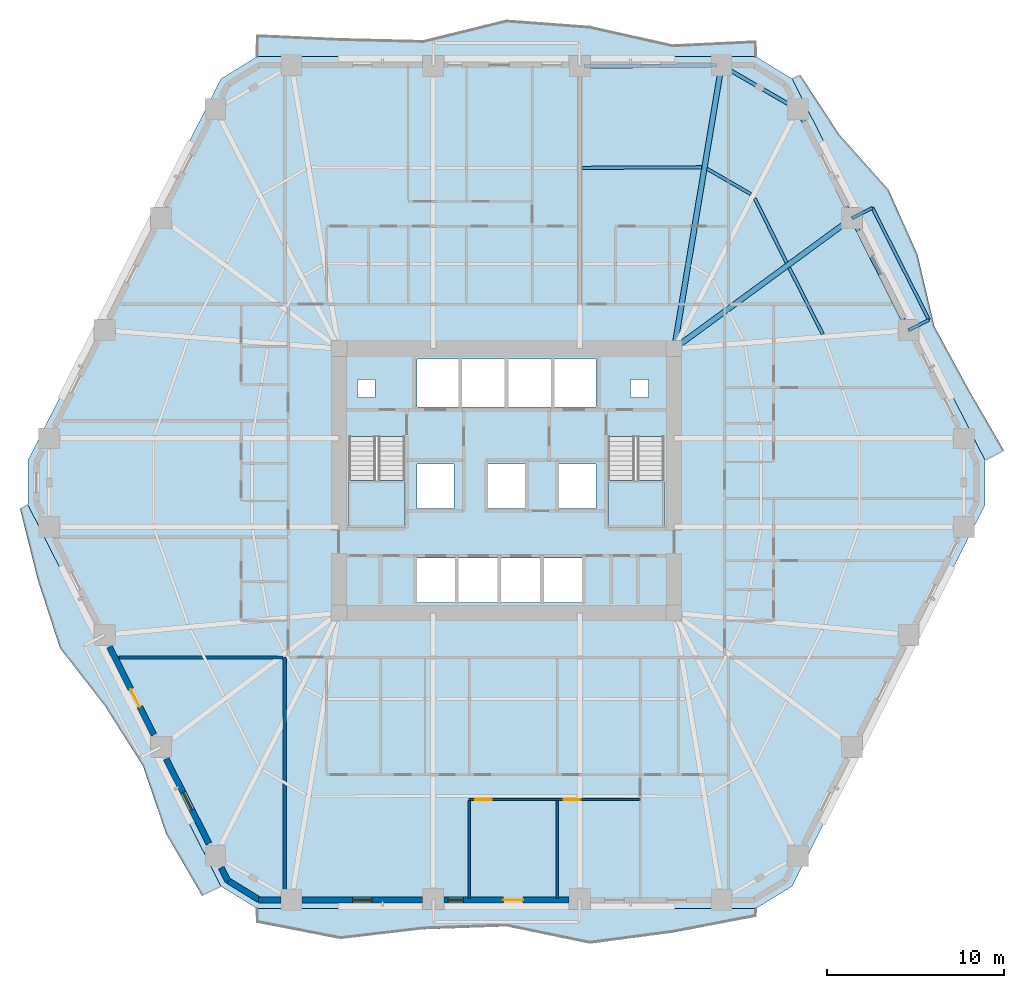
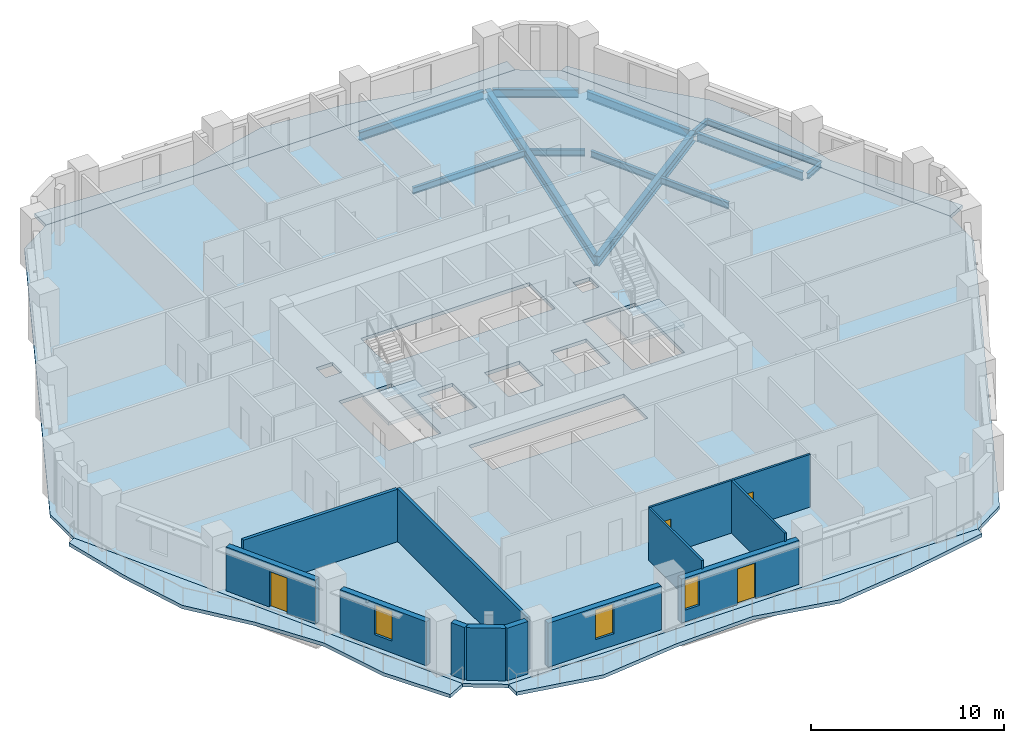
# One storey, part 3 of 14: 13 beams, 12 walls, 7 slabs, 4 doors, 3 windows, 7 openings, 2 elements without a shape of their own.
"""IFC4 building model written with IfcOpenShell, lengths in metres."""

from ifc_helpers import new_model, si_unit, direction, frame, frame_2d, origin, origin_2d, place, context, subcontext, project, spatial, polyline, rectangle, i_section, outline, extrude, material, layer, layer_set, material_profile, profile_set, type_object, element, fill, aggregate, save


model = new_model("IFC4")

# Units and contexts
model_context = context("Model", 3, precision=1e-05, world=origin(), true_north=direction((0.0, 1.0)))
body_context = subcontext(model_context, "Body", "Model", "MODEL_VIEW")
ifc_project = project(units=[si_unit("LENGTHUNIT", "METRE"), si_unit("AREAUNIT", "SQUARE_METRE"), si_unit("VOLUMEUNIT", "CUBIC_METRE"), si_unit("PLANEANGLEUNIT", "RADIAN"), si_unit("MASSUNIT", "GRAM", prefix="KILO")], contexts=[model_context])

# Site, building, storey
site_placement = place(None, origin())
site = spatial("IfcSite", under=ifc_project, at=site_placement, CompositionType="ELEMENT")
building_placement = place(site_placement, origin())
building = spatial("IfcBuilding", under=site, at=building_placement, Name="Cinnabar Lancet Tower", CompositionType="ELEMENT")
storey_placement = place(building_placement, frame((0.0, 0.0, 67.5)))
storey = spatial("IfcBuildingStorey", under=building, at=storey_placement, Name="L17", CompositionType="ELEMENT", Elevation=67.5)

# Beams
ifc_material_1 = material(Name="Structural steel S355", Category="steel")
ifc_material_profile_1 = material_profile(ifc_material_1, i_section(OverallWidth=0.177978515625, OverallDepth=0.406494140625, WebThickness=0.0078125, FlangeThickness=0.0126953125, FilletRadius=0.01025390625, at=origin_2d()), Name="UKB 406x178x60")
ifc_profile_set_1 = profile_set([ifc_material_profile_1], Name="Structural steel S355")
beam_type_1 = type_object("IfcBeamType", Name="STR-BM-JST-406", PredefinedType="JOIST", material=ifc_profile_set_1)
beam_1_placement = place(storey_placement, frame((50.220947265625, 34.156982421875, -0.423095703125), z_axis=(-0.450834254961, 0.89260768233, 0.0), x_axis=(-0.89260768233, -0.450834254961, 0.0)))
element("IfcBeam", 1, at=beam_1_placement, inside=storey, type_object=beam_type_1, Name="L17 Secondary Floor Joist 27", PredefinedType="JOIST", context=body_context, shape_type="SweptSolid", body=[
    extrude(i_section(OverallWidth=0.177978515625, OverallDepth=0.406494140625, WebThickness=0.0078125, FlangeThickness=0.0126953125, FilletRadius=0.01025390625, at=origin_2d()), origin(), (0.0, 0.0, 1.0), 4.203369140625),
])
beam_2_placement = place(storey_placement, frame((48.18603515625, 38.18798828125, -0.423095703125), z_axis=(-0.445738672706, 0.895163133543, 0.0), x_axis=(-0.895163133543, -0.445738672706, 0.0)))
element("IfcBeam", 2, at=beam_2_placement, inside=storey, type_object=beam_type_1, Name="L17 Secondary Floor Joist 29", PredefinedType="JOIST", context=body_context, shape_type="SweptSolid", body=[
    extrude(i_section(OverallWidth=0.177978515625, OverallDepth=0.406494140625, WebThickness=0.0078125, FlangeThickness=0.0126953125, FilletRadius=0.01025390625, at=origin_2d()), origin(), (0.0, 0.0, 1.0), 4.04052734375),
])
beam_3_placement = place(storey_placement, frame((46.1669921875, 42.052001953125, -0.423095703125), z_axis=(-0.865113631149, 0.50157592167, 0.0), x_axis=(-0.50157592167, -0.865113631149, 0.0)))
element("IfcBeam", 3, at=beam_3_placement, inside=storey, type_object=beam_type_1, Name="L17 Secondary Floor Joist 31", PredefinedType="JOIST", context=body_context, shape_type="SweptSolid", body=[
    extrude(i_section(OverallWidth=0.177978515625, OverallDepth=0.406494140625, WebThickness=0.0078125, FlangeThickness=0.0126953125, FilletRadius=0.01025390625, at=origin_2d()), origin(), (0.0, 0.0, 1.0), 2.852783203125),
])
beam_4_placement = place(storey_placement, frame((43.40087890625, 43.56396484375, -0.423095703125), z_axis=(-0.999988691118, -0.004755800274, 0.0), x_axis=(0.004755800274, -0.999988691118, 0.0)))
element("IfcBeam", 4, at=beam_4_placement, inside=storey, type_object=beam_type_1, Name="L17 Secondary Floor Joist 33", PredefinedType="JOIST", context=body_context, shape_type="SweptSolid", body=[
    extrude(i_section(OverallWidth=0.177978515625, OverallDepth=0.406494140625, WebThickness=0.0078125, FlangeThickness=0.0126953125, FilletRadius=0.01025390625, at=origin_2d()), origin(), (0.0, 0.0, 1.0), 6.724853515625),
])
ifc_material_2 = material(Name="Structural steel S355", Category="steel")
ifc_material_profile_2 = material_profile(ifc_material_2, i_section(OverallWidth=0.209228515625, OverallDepth=0.533203125, WebThickness=0.010009765625, FlangeThickness=0.015625, FilletRadius=0.0126953125, at=origin_2d()), Name="UKB 533x210x92")
ifc_profile_set_2 = profile_set([ifc_material_profile_2], Name="Structural steel S355")
beam_type_2 = type_object("IfcBeamType", Name="STR-BM-SPN-533", PredefinedType="SPANDREL", material=ifc_profile_set_2)
beam_5_placement = place(storey_placement, frame((54.93310546875, 34.60302734375, -0.487060546875), z_axis=(-0.450703143926, 0.892673891214, 0.0), x_axis=(-0.892673891214, -0.450703143926, 0.0)))
element("IfcBeam", 5, at=beam_5_placement, inside=storey, type_object=beam_type_2, Name="L17 Perimeter Spandrel 10", PredefinedType="SPANDREL", context=body_context, shape_type="SweptSolid", body=[
    extrude(i_section(OverallWidth=0.209228515625, OverallDepth=0.533203125, WebThickness=0.010009765625, FlangeThickness=0.015625, FilletRadius=0.0126953125, at=origin_2d()), origin(), (0.0, 0.0, 1.0), 6.570068359375),
])
beam_6_placement = place(storey_placement, frame((51.748046875, 40.9150390625, -0.487060546875), z_axis=(-0.445953050023, 0.89505635419, 0.0), x_axis=(-0.89505635419, -0.445953050023, 0.0)))
element("IfcBeam", 6, at=beam_6_placement, inside=storey, type_object=beam_type_2, Name="L17 Perimeter Spandrel 11", PredefinedType="SPANDREL", context=body_context, shape_type="SweptSolid", body=[
    extrude(i_section(OverallWidth=0.209228515625, OverallDepth=0.533203125, WebThickness=0.010009765625, FlangeThickness=0.015625, FilletRadius=0.0126953125, at=origin_2d()), origin(), (0.0, 0.0, 1.0), 6.35498046875),
])
beam_7_placement = place(storey_placement, frame((48.5869140625, 46.951904296875, -0.487060546875), z_axis=(-0.865147238596, 0.501517951374, 0.0), x_axis=(-0.501517951374, -0.865147238596, 0.0)))
element("IfcBeam", 7, at=beam_7_placement, inside=storey, type_object=beam_type_2, Name="L17 Perimeter Spandrel 12", PredefinedType="SPANDREL", context=body_context, shape_type="SweptSolid", body=[
    extrude(i_section(OverallWidth=0.209228515625, OverallDepth=0.533203125, WebThickness=0.010009765625, FlangeThickness=0.015625, FilletRadius=0.0126953125, at=origin_2d()), origin(), (0.0, 0.0, 1.0), 4.454833984375),
])
beam_8_placement = place(storey_placement, frame((44.26708984375, 49.30908203125, -0.487060546875), z_axis=(-0.99997856757, -0.006547090947, 0.0), x_axis=(0.006547090947, -0.99997856757, 0.0)))
element("IfcBeam", 8, at=beam_8_placement, inside=storey, type_object=beam_type_2, Name="L17 Perimeter Spandrel 13", PredefinedType="SPANDREL", context=body_context, shape_type="SweptSolid", body=[
    extrude(i_section(OverallWidth=0.209228515625, OverallDepth=0.533203125, WebThickness=0.010009765625, FlangeThickness=0.015625, FilletRadius=0.0126953125, at=origin_2d()), origin(), (0.0, 0.0, 1.0), 7.495361328125),
])
ifc_material_3 = material(Name="Structural steel S355", Category="steel")
ifc_material_profile_3 = material_profile(ifc_material_3, i_section(OverallWidth=0.30712890625, OverallDepth=0.6201171875, WebThickness=0.01416015625, FlangeThickness=0.023681640625, FilletRadius=0.0166015625, at=origin_2d()), Name="UKB 610x305x179")
ifc_profile_set_3 = profile_set([ifc_material_profile_3], Name="Structural steel S355")
beam_type_3 = type_object("IfcBeamType", Name="STR-BM-UKB610-179", PredefinedType="BEAM", material=ifc_profile_set_3)
beam_9_placement = place(storey_placement, frame((51.85888671875, 40.69091796875, -0.530029296875), z_axis=(-0.80636497312, -0.591418236213, 0.0), x_axis=(0.591418236213, -0.80636497312, 0.0)))
element("IfcBeam", 9, at=beam_9_placement, inside=storey, type_object=beam_type_3, Name="L17 Corner Collector Girder 3", PredefinedType="BEAM", context=body_context, shape_type="SweptSolid", body=[
    extrude(i_section(OverallWidth=0.30712890625, OverallDepth=0.6201171875, WebThickness=0.01416015625, FlangeThickness=0.023681640625, FilletRadius=0.0166015625, at=origin_2d()), origin(), (0.0, 0.0, 1.0), 12.412353515625),
])
beam_10_placement = place(storey_placement, frame((44.51708984375, 49.31103515625, -0.530029296875), z_axis=(-0.164809990854, -0.986325335229, 0.0), x_axis=(0.986325335229, -0.164809990854, 0.0)))
element("IfcBeam", 10, at=beam_10_placement, inside=storey, type_object=beam_type_3, Name="L17 Primary Floor Girder 13", PredefinedType="BEAM", context=body_context, shape_type="SweptSolid", body=[
    extrude(i_section(OverallWidth=0.30712890625, OverallDepth=0.6201171875, WebThickness=0.01416015625, FlangeThickness=0.023681640625, FilletRadius=0.0166015625, at=origin_2d()), origin(), (0.0, 0.0, 1.0), 16.18212890625),
])
ifc_material_4 = material(Name="Structural steel S355", Category="steel")
ifc_material_profile_4 = material_profile(ifc_material_4, i_section(OverallWidth=0.17138671875, OverallDepth=0.35498046875, WebThickness=0.00732421875, FlangeThickness=0.011474609375, FilletRadius=0.01025390625, at=origin_2d()), Name="UKB 356x171x51")
ifc_profile_set_4 = profile_set([ifc_material_profile_4], Name="Structural steel S355")
beam_type_4 = type_object("IfcBeamType", Name="STR-BM-WAV-OUT", PredefinedType="BEAM", material=ifc_profile_set_4)
for number, where, z_axis, x_axis, name in (
    (11, (55.0458984375, 34.3798828125, -0.39697265625), (0.892238560088, 0.451564338597, 0.0), (-0.451564338597, 0.892238560088, 0.0), "L17 Face 3 Balcony Outlooker A"),
    (12, (51.85888671875, 40.69091796875, -0.39697265625), (0.892238560088, 0.451564338597, 0.0), (-0.451564338597, 0.892238560088, 0.0), "L17 Face 3 Balcony Outlooker B"),
):
    element("IfcBeam", number, at=place(storey_placement, frame(where, z_axis=z_axis, x_axis=x_axis)), inside=storey, type_object=beam_type_4, Name=name, PredefinedType="BEAM", context=body_context, shape_type="SweptSolid", body=[
        extrude(i_section(OverallWidth=0.17138671875, OverallDepth=0.35498046875, WebThickness=0.00732421875, FlangeThickness=0.011474609375, FilletRadius=0.01025390625, at=origin_2d()), origin(), (0.0, 0.0, 1.0), 1.30029296875),
    ])
ifc_material_5 = material(Name="Structural steel S355", Category="steel")
ifc_material_profile_5 = material_profile(ifc_material_5, i_section(OverallWidth=0.17138671875, OverallDepth=0.35498046875, WebThickness=0.00732421875, FlangeThickness=0.011474609375, FilletRadius=0.01025390625, at=origin_2d()), Name="UKB 356x171x51")
ifc_profile_set_5 = profile_set([ifc_material_profile_5], Name="Structural steel S355")
beam_type_5 = type_object("IfcBeamType", Name="STR-BM-WAV-TRIM", PredefinedType="SPANDREL", material=ifc_profile_set_5)
beam_11_placement = place(storey_placement, frame((56.2060546875, 34.967041015625, -0.39697265625), z_axis=(-0.450773692627, 0.892638268301, 0.0), x_axis=(-0.892638268301, -0.450773692627, 0.0)))
element("IfcBeam", 13, at=beam_11_placement, inside=storey, type_object=beam_type_5, Name="L17 Face 3 Balcony Edge Trimmer", PredefinedType="SPANDREL", context=body_context, shape_type="SweptSolid", body=[
    extrude(i_section(OverallWidth=0.17138671875, OverallDepth=0.35498046875, WebThickness=0.00732421875, FlangeThickness=0.011474609375, FilletRadius=0.01025390625, at=origin_2d()), origin(), (0.0, 0.0, 1.0), 7.070068359375),
])

# Stair, slab
ifc_material_6 = material(Name="Concrete C40/50", Category="concrete")
stair_type = type_object("IfcStairType", Name="ST-CORE", PredefinedType="HALF_TURN_STAIR", material=ifc_material_6)
stair_1_placement = place(storey_placement, origin())
stair_1 = element("IfcStair", 14, at=stair_1_placement, inside=storey, type_object=stair_type, Name="L17 ST-1", PredefinedType="HALF_TURN_STAIR")
ifc_material_7 = material(Name="Concrete C40/50", Category="concrete")
ifc_layer_1 = layer(ifc_material_7, 0.199951171875)
ifc_layer_set_1 = layer_set([ifc_layer_1], Name="Concrete C40/50")
slab_type_1 = type_object("IfcSlabType", Name="LANDING-CORE", PredefinedType="LANDING", material=ifc_layer_set_1)
slab_1_placement = place(storey_placement, frame((0.0, 0.0, 1.574951171875)))
slab_1 = element("IfcSlab", 15, at=slab_1_placement, type_object=slab_type_1, Name="ST-1 landing 1", PredefinedType="LANDING", context=body_context, shape_type="SweptSolid", body=[
    extrude(outline(polyline([(23.52490234375, 25.925048828125), (23.52490234375, 23.25), (26.675048828125, 23.25), (26.675048828125, 25.925048828125), (23.52490234375, 25.925048828125)])), origin(), (0.0, 0.0, 1.0), 0.199951171875),
])
aggregate(stair_1, [slab_1])

stair_2_placement = place(storey_placement, origin())
stair_2 = element("IfcStair", 16, at=stair_2_placement, inside=storey, type_object=stair_type, Name="L17 ST-2", PredefinedType="HALF_TURN_STAIR")
slab_2_placement = place(storey_placement, frame((0.0, 0.0, 1.574951171875)))
slab_2 = element("IfcSlab", 17, at=slab_2_placement, type_object=slab_type_1, Name="ST-2 landing 1", PredefinedType="LANDING", context=body_context, shape_type="SweptSolid", body=[
    extrude(outline(polyline([(38.125, 25.925048828125), (38.125, 23.25), (41.27490234375, 23.25), (41.27490234375, 25.925048828125), (38.125, 25.925048828125)])), origin(), (0.0, 0.0, 1.0), 0.199951171875),
])
aggregate(stair_2, [slab_2])

# Slabs
ifc_material_8 = material(Name="Concrete C40/50", Category="concrete")
ifc_layer_2 = layer(ifc_material_8, 0.219970703125)
ifc_layer_set_2 = layer_set([ifc_layer_2], Name="Concrete C40/50")
slab_type_2 = type_object("IfcSlabType", Name="STR-SLB-FLR-220", PredefinedType="FLOOR", material=ifc_layer_set_2)
slab_3_placement = place(storey_placement, frame((0.0, 0.0, -0.219970703125)))
element("IfcSlab", 18, at=slab_3_placement, inside=storey, type_object=slab_type_2, Name="L17 Structural Floor Slab", PredefinedType="FLOOR", context=body_context, shape_type="SweptSolid", body=[
    extrude(outline(polyline([(16.31201171875, 3.049072265625), (18.343994140625, 1.800048828125), (46.4560546875, 1.800048828125), (48.488037109375, 3.049072265625), (59.367919921875, 24.551025390625), (59.367919921875, 27.049072265625), (48.488037109375, 48.551025390625), (46.4560546875, 49.800048828125), (18.343994140625, 49.800048828125), (16.31201171875, 48.551025390625), (5.431884765625, 27.049072265625), (5.431884765625, 24.551025390625), (16.31201171875, 3.049072265625)]), holes=[polyline([(23.52490234375, 23.25), (26.675048828125, 23.25), (26.675048828125, 28.3994140625), (23.52490234375, 28.3994140625), (23.52490234375, 23.25)]), polyline([(38.125, 23.25), (41.27490234375, 23.25), (41.27490234375, 28.3994140625), (38.125, 28.3994140625), (38.125, 23.25)]), polyline([(27.35009765625, 30.050048828125), (37.449951171875, 30.050048828125), (37.449951171875, 32.75), (27.35009765625, 32.75), (27.35009765625, 30.050048828125)]), polyline([(27.35009765625, 19.050048828125), (36.64990234375, 19.050048828125), (36.64990234375, 21.550048828125), (27.35009765625, 21.550048828125), (27.35009765625, 19.050048828125)]), polyline([(27.35009765625, 24.35009765625), (29.449951171875, 24.35009765625), (29.449951171875, 26.85009765625), (27.35009765625, 26.85009765625), (27.35009765625, 24.35009765625)]), polyline([(35.35009765625, 24.35009765625), (37.449951171875, 24.35009765625), (37.449951171875, 26.85009765625), (35.35009765625, 26.85009765625), (35.35009765625, 24.35009765625)]), polyline([(31.35009765625, 24.35009765625), (33.449951171875, 24.35009765625), (33.449951171875, 26.85009765625), (31.35009765625, 26.85009765625), (31.35009765625, 24.35009765625)]), polyline([(24.0, 30.60009765625), (25.0, 30.60009765625), (25.0, 31.60009765625), (24.0, 31.60009765625), (24.0, 30.60009765625)]), polyline([(39.39990234375, 30.60009765625), (40.39990234375, 30.60009765625), (40.39990234375, 31.60009765625), (39.39990234375, 31.60009765625), (39.39990234375, 30.60009765625)])]), origin(), (0.0, 0.0, 1.0), 0.219970703125),
])
ifc_material_9 = material(Name="Concrete C45/55", Category="concrete")
ifc_layer_3 = layer(ifc_material_9, 0.219970703125)
ifc_layer_set_3 = layer_set([ifc_layer_3], Name="Concrete C45/55")
slab_type_3 = type_object("IfcSlabType", Name="STR-SLB-WAV-220", PredefinedType="FLOOR", material=ifc_layer_set_3)
slab_4_placement = place(storey_placement, frame((0.0, 0.0, -0.219970703125)))
element("IfcSlab", 19, at=slab_4_placement, inside=storey, type_object=slab_type_3, Name="L17 Face 1 Undulating Wave Balcony Slab", PredefinedType="FLOOR", context=body_context, shape_type="SweptSolid", body=[
    extrude(outline(polyline([(18.343994140625, 1.800048828125), (18.343994140625, 0.992919921875), (23.029052734375, 0.0810546875), (27.715087890625, 0.6259765625), (32.39990234375, 0.787109375), (37.0849609375, -0.180908203125), (41.77099609375, 0.43505859375), (46.4560546875, 1.33203125), (46.4560546875, 1.800048828125), (18.343994140625, 1.800048828125)])), origin(), (0.0, 0.0, 1.0), 0.219970703125),
])
slab_5_placement = place(storey_placement, frame((0.0, 0.0, -0.219970703125)))
element("IfcSlab", 20, at=slab_5_placement, inside=storey, type_object=slab_type_3, Name="L17 Face 3 Undulating Wave Balcony Slab", PredefinedType="FLOOR", context=body_context, shape_type="SweptSolid", body=[
    extrude(outline(polyline([(59.367919921875, 27.049072265625), (60.431884765625, 27.5869140625), (58.422119140625, 31.072021484375), (56.507080078125, 34.60400390625), (55.56201171875, 38.626953125), (53.926025390625, 42.300048828125), (51.157958984375, 45.40087890625), (48.93994140625, 48.780029296875), (48.488037109375, 48.551025390625), (59.367919921875, 27.049072265625)])), origin(), (0.0, 0.0, 1.0), 0.219970703125),
])
slab_6_placement = place(storey_placement, frame((0.0, 0.0, -0.219970703125)))
element("IfcSlab", 21, at=slab_6_placement, inside=storey, type_object=slab_type_3, Name="L17 Face 4 Undulating Wave Balcony Slab", PredefinedType="FLOOR", context=body_context, shape_type="SweptSolid", body=[
    extrude(outline(polyline([(46.4560546875, 49.800048828125), (46.4560546875, 50.68603515625), (41.77099609375, 50.466064453125), (37.0849609375, 51.51806640625), (32.39990234375, 51.864013671875), (27.715087890625, 50.7109375), (23.029052734375, 50.820068359375), (18.343994140625, 51.02392578125), (18.343994140625, 49.800048828125), (46.4560546875, 49.800048828125)])), origin(), (0.0, 0.0, 1.0), 0.219970703125),
])
slab_7_placement = place(storey_placement, frame((0.0, 0.0, -0.219970703125)))
element("IfcSlab", 22, at=slab_7_placement, inside=storey, type_object=slab_type_3, Name="L17 Face 6 Undulating Wave Balcony Slab", PredefinedType="FLOOR", context=body_context, shape_type="SweptSolid", body=[
    extrude(outline(polyline([(5.431884765625, 24.551025390625), (4.986083984375, 24.324951171875), (5.985107421875, 20.3291015625), (7.243896484375, 16.465087890625), (9.760009765625, 13.237060546875), (11.9169921875, 9.826904296875), (13.22705078125, 5.989013671875), (15.25390625, 2.512939453125), (16.31201171875, 3.049072265625), (5.431884765625, 24.551025390625)])), origin(), (0.0, 0.0, 1.0), 0.219970703125),
])

# Walls
ifc_material_10 = material(Name="Fire-rated twin-frame acoustic drywall", Category="gypsum")
ifc_layer_4 = layer(ifc_material_10, 0.179931640625)
ifc_layer_set_4 = layer_set([ifc_layer_4], Name="Fire-rated twin-frame acoustic drywall")
wall_type_1 = type_object("IfcWallType", Name="ARC-WL-PARTY-180", PredefinedType="PARTITIONING", material=ifc_layer_set_4)
wall_1_placement = place(storey_placement, frame((19.89990234375, 2.455078125, 0.0), z_axis=(0.0, 0.0, 1.0), x_axis=(0.0, 1.0, 0.0)))
element("IfcWall", 23, at=wall_1_placement, inside=storey, type_object=wall_type_1, Name="PW-L17-SPTY-199", PredefinedType="PARTITIONING", context=body_context, shape_type="SweptSolid", body=[
    extrude(rectangle(XDim=13.494873046875, YDim=0.179931640625, at=frame_2d((6.74755859375, 0.0))), origin(), (0.0, 0.0, 1.0), 3.330078125),
])
wall_2_placement = place(storey_placement, frame((10.56396484375, 15.949951171875, 0.0), z_axis=(0.0, 0.0, 1.0), x_axis=(1.0, 0.0, 0.0)))
element("IfcWall", 24, at=wall_2_placement, inside=storey, type_object=wall_type_1, Name="PW-L17-WSB", PredefinedType="PARTITIONING", context=body_context, shape_type="SweptSolid", body=[
    extrude(rectangle(XDim=9.240966796875, YDim=0.179931640625, at=frame_2d((4.62060546875, 0.0))), origin(), (0.0, 0.0, 1.0), 3.330078125),
])
ifc_material_11 = material(Name="Gypsum plasterboard stud partition", Category="gypsum")
ifc_layer_5 = layer(ifc_material_11, 0.125)
ifc_layer_set_5 = layer_set([ifc_layer_5], Name="Gypsum plasterboard stud partition")
wall_type_2 = type_object("IfcWallType", Name="ARC-WL-UNIT-125", PredefinedType="PARTITIONING", material=ifc_layer_set_5)
wall_3_placement = place(storey_placement, frame((30.297119140625, 2.364990234375, 0.0), z_axis=(0.0, 0.0, 1.0), x_axis=(0.0, 1.0, 0.0)))
element("IfcWall", 25, at=wall_3_placement, inside=storey, type_object=wall_type_2, Name="UW-L17-S01-BD2W", PredefinedType="PARTITIONING", context=body_context, shape_type="SweptSolid", body=[
    extrude(rectangle(XDim=5.507080078125, YDim=0.125, at=frame_2d((2.75341796875, 0.0))), origin(), (0.0, 0.0, 1.0), 3.330078125),
])

# Wall, openings, doors
wall_4_placement = place(storey_placement, frame((30.297119140625, 7.93701171875, 0.0), z_axis=(0.0, 0.0, 1.0), x_axis=(1.0, 0.0, 0.0)))
wall_4 = element("IfcWall", 26, at=wall_4_placement, inside=storey, type_object=wall_type_2, Name="UW-L17-S01-HLN", PredefinedType="PARTITIONING", context=body_context, shape_type="SweptSolid", body=[
    extrude(rectangle(XDim=9.637939453125, YDim=0.125, at=frame_2d((4.81884765625, 0.0))), origin(), (0.0, 0.0, 1.0), 3.330078125),
])
opening_1_placement = place(wall_4_placement, frame((0.35009765625, 0.0, 0.0)))
opening_1 = element("IfcOpeningElement", 27, at=opening_1_placement, cuts=wall_4, Name="Opening RD-01", PredefinedType="OPENING", context=body_context, shape_type="SweptSolid", body=[
    extrude(rectangle(XDim=0.919921875, YDim=2.14990234375, at=frame_2d((0.4599609375, 1.074951171875))), frame((0.0, 0.072509765625, 0.0), z_axis=(0.0, -1.0, 0.0), x_axis=(1.0, 0.0, 0.0)), (0.0, 0.0, 1.0), 0.14501953125),
])
opening_2_placement = place(wall_4_placement, frame((5.31494140625, 0.0, 0.0)))
opening_2 = element("IfcOpeningElement", 28, at=opening_2_placement, cuts=wall_4, Name="Opening RD-01", PredefinedType="OPENING", context=body_context, shape_type="SweptSolid", body=[
    extrude(rectangle(XDim=0.919921875, YDim=2.14990234375, at=frame_2d((0.4599609375, 1.074951171875))), frame((0.0, 0.072509765625, 0.0), z_axis=(0.0, -1.0, 0.0), x_axis=(1.0, 0.0, 0.0)), (0.0, 0.0, 1.0), 0.14501953125),
])
ifc_material_12 = material(Name="Engineered timber bedroom door", Category="wood")
door_type_1 = type_object("IfcDoorType", Name="ARC-DR-ROOM", OperationType="NOTDEFINED", PredefinedType="DOOR", material=ifc_material_12)
door_1_placement = place(opening_1_placement, origin())
door_1 = element("IfcDoor", 29, at=door_1_placement, inside=storey, type_object=door_type_1, Name="DR-L17-S01-BD2", OperationType="SINGLE_SWING_RIGHT", OverallHeight=2.14990234375, OverallWidth=0.919921875, PredefinedType="DOOR", context=body_context, shape_type="SweptSolid", body=[
    extrude(rectangle(XDim=0.919921875, YDim=2.14990234375, at=frame_2d((0.4599609375, 1.074951171875))), frame((0.0, 0.02490234375, 0.0), z_axis=(0.0, -1.0, 0.0), x_axis=(1.0, 0.0, 0.0)), (0.0, 0.0, 1.0), 0.050048828125),
])
fill(opening_1, door_1)
door_2_placement = place(opening_2_placement, origin())
door_2 = element("IfcDoor", 30, at=door_2_placement, inside=storey, type_object=door_type_1, Name="DR-L17-S01-BD3", OperationType="SINGLE_SWING_LEFT", OverallHeight=2.14990234375, OverallWidth=0.919921875, PredefinedType="DOOR", context=body_context, shape_type="SweptSolid", body=[
    extrude(rectangle(XDim=0.919921875, YDim=2.14990234375, at=frame_2d((0.4599609375, 1.074951171875))), frame((0.0, 0.02490234375, 0.0), z_axis=(0.0, -1.0, 0.0), x_axis=(1.0, 0.0, 0.0)), (0.0, 0.0, 1.0), 0.050048828125),
])
fill(opening_2, door_2)

# Walls
wall_5_placement = place(storey_placement, frame((35.261962890625, 2.364990234375, 0.0), z_axis=(0.0, 0.0, 1.0), x_axis=(0.0, 1.0, 0.0)))
element("IfcWall", 31, at=wall_5_placement, inside=storey, type_object=wall_type_2, Name="UW-L17-S01-MB2W", PredefinedType="PARTITIONING", context=body_context, shape_type="SweptSolid", body=[
    extrude(rectangle(XDim=5.507080078125, YDim=0.125, at=frame_2d((2.75341796875, 0.0))), origin(), (0.0, 0.0, 1.0), 3.330078125),
])
ifc_material_13 = material(Name="Cinnabar red clay brick", Category="masonry")
ifc_layer_6 = layer(ifc_material_13, 0.340087890625)
ifc_layer_set_6 = layer_set([ifc_layer_6], Name="Cinnabar red clay brick")
wall_type_3 = type_object("IfcWallType", Name="ENV-WL-BRK-RED-340", PredefinedType="STANDARD", material=ifc_layer_set_6)
wall_6_placement = place(storey_placement, frame((16.719970703125, 3.362060546875, 0.0), z_axis=(0.0, 0.0, 1.0), x_axis=(0.851816122478, -0.523840904748, 0.0)))
element("IfcWall", 32, at=wall_6_placement, inside=storey, type_object=wall_type_3, Name="L17 Chamfered Corner Brick Pier 1.1", PredefinedType="STANDARD", context=body_context, shape_type="SweptSolid", body=[
    extrude(rectangle(XDim=2.01806640625, YDim=0.340087890625, at=frame_2d((1.009033203125, 0.0))), origin(), (0.0, 0.0, 1.0), 3.330078125),
])
wall_7_placement = place(storey_placement, frame((18.43408203125, 2.280029296875, 0.0), z_axis=(0.0, 0.0, 1.0), x_axis=(1.0, 0.0, 0.0)))
element("IfcWall", 33, at=wall_7_placement, inside=storey, type_object=wall_type_3, Name="L17 Face 1 Masonry Bay Wall 1", PredefinedType="STANDARD", context=body_context, shape_type="SweptSolid", body=[
    extrude(rectangle(XDim=1.244873046875, YDim=0.340087890625, at=frame_2d((0.62255859375, 0.0))), origin(), (0.0, 0.0, 1.0), 3.330078125),
])

# Wall, opening, window
wall_8_placement = place(storey_placement, frame((20.886962890625, 2.280029296875, 0.0), z_axis=(0.0, 0.0, 1.0), x_axis=(1.0, 0.0, 0.0)))
wall_8 = element("IfcWall", 34, at=wall_8_placement, inside=storey, type_object=wall_type_3, Name="L17 Face 1 Masonry Bay Wall 2", PredefinedType="STANDARD", context=body_context, shape_type="SweptSolid", body=[
    extrude(rectangle(XDim=6.787109375, YDim=0.340087890625, at=frame_2d((3.3935546875, 0.0))), origin(), (0.0, 0.0, 1.0), 2.787109375),
])
opening_3_placement = place(wall_8_placement, frame((2.843017578125, 0.0, 0.75)))
opening_3 = element("IfcOpeningElement", 35, at=opening_3_placement, cuts=wall_8, Name="Opening WN-04", PredefinedType="OPENING", context=body_context, shape_type="SweptSolid", body=[
    extrude(rectangle(XDim=1.10009765625, YDim=1.886962890625, at=frame_2d((0.550048828125, 0.943359375))), frame((0.0, 0.179931640625, 0.0), z_axis=(0.0, -1.0, 0.0), x_axis=(1.0, 0.0, 0.0)), (0.0, 0.0, 1.0), 0.360107421875),
])
ifc_material_14 = material(Name="Thermally broken bronze-anodized aluminium tall lancet window", Category="aluminium")
window_type = type_object("IfcWindowType", Name="ENV-WN-LANCET-1100", PartitioningType="SINGLE_PANEL", PredefinedType="WINDOW", material=ifc_material_14)
window_1_placement = place(opening_3_placement, origin())
window_1 = element("IfcWindow", 36, at=window_1_placement, inside=storey, type_object=window_type, Name="L17 Face 1 Gothic Lancet Window 2", OverallHeight=1.886962890625, OverallWidth=1.10009765625, PartitioningType="SINGLE_PANEL", PredefinedType="WINDOW", context=body_context, shape_type="SweptSolid", body=[
    extrude(rectangle(XDim=1.10009765625, YDim=1.886962890625, at=frame_2d((0.550048828125, 0.943359375))), frame((0.0, 0.030029296875, 0.0), z_axis=(0.0, -1.0, 0.0), x_axis=(1.0, 0.0, 0.0)), (0.0, 0.0, 1.0), 0.06005859375),
])
fill(opening_3, window_1)

# Wall, openings, door, window
wall_9_placement = place(storey_placement, frame((28.882080078125, 2.280029296875, 0.0), z_axis=(0.0, 0.0, 1.0), x_axis=(1.0, 0.0, 0.0)))
wall_9 = element("IfcWall", 37, at=wall_9_placement, inside=storey, type_object=wall_type_3, Name="L17 Face 1 Masonry Bay Wall 3", PredefinedType="STANDARD", context=body_context, shape_type="SweptSolid", body=[
    extrude(rectangle(XDim=7.035888671875, YDim=0.340087890625, at=frame_2d((3.51806640625, 0.0))), origin(), (0.0, 0.0, 1.0), 2.787109375),
])
opening_4_placement = place(wall_9_placement, frame((3.346923828125, 0.0, 0.0)))
opening_4 = element("IfcOpeningElement", 38, at=opening_4_placement, cuts=wall_9, Name="Opening TD-01", PredefinedType="OPENING", context=body_context, shape_type="SweptSolid", body=[
    extrude(rectangle(XDim=1.10009765625, YDim=2.25, at=frame_2d((0.550048828125, 1.125))), frame((0.0, 0.179931640625, 0.0), z_axis=(0.0, -1.0, 0.0), x_axis=(1.0, 0.0, 0.0)), (0.0, 0.0, 1.0), 0.360107421875),
])
opening_5_placement = place(wall_9_placement, frame((0.219970703125, 0.0, 0.75)))
opening_5 = element("IfcOpeningElement", 39, at=opening_5_placement, cuts=wall_9, Name="Opening WN-04", PredefinedType="OPENING", context=body_context, shape_type="SweptSolid", body=[
    extrude(rectangle(XDim=0.862060546875, YDim=1.886962890625, at=frame_2d((0.43115234375, 0.943359375))), frame((0.0, 0.179931640625, 0.0), z_axis=(0.0, -1.0, 0.0), x_axis=(1.0, 0.0, 0.0)), (0.0, 0.0, 1.0), 0.360107421875),
])
ifc_material_15 = material(Name="Thermally broken low-E glazed balcony terrace door", Category="wood")
door_type_2 = type_object("IfcDoorType", Name="ARC-DR-BALC", OperationType="NOTDEFINED", PredefinedType="DOOR", material=ifc_material_15)
door_3_placement = place(opening_4_placement, origin())
door_3 = element("IfcDoor", 40, at=door_3_placement, inside=storey, type_object=door_type_2, Name="L17 Face 1 Glazed Terrace Door", OperationType="SINGLE_SWING_LEFT", OverallHeight=2.25, OverallWidth=1.10009765625, PredefinedType="DOOR", context=body_context, shape_type="SweptSolid", body=[
    extrude(rectangle(XDim=1.10009765625, YDim=2.25, at=frame_2d((0.550048828125, 1.125))), frame((0.0, 0.02490234375, 0.0), z_axis=(0.0, -1.0, 0.0), x_axis=(1.0, 0.0, 0.0)), (0.0, 0.0, 1.0), 0.050048828125),
])
fill(opening_4, door_3)
window_2_placement = place(opening_5_placement, origin())
window_2 = element("IfcWindow", 41, at=window_2_placement, inside=storey, type_object=window_type, Name="L17 Split-Bay Gothic Lancet Window 40", OverallHeight=1.886962890625, OverallWidth=0.862060546875, PartitioningType="SINGLE_PANEL", PredefinedType="WINDOW", context=body_context, shape_type="SweptSolid", body=[
    extrude(rectangle(XDim=0.862060546875, YDim=1.886962890625, at=frame_2d((0.43115234375, 0.943359375))), frame((0.0, 0.030029296875, 0.0), z_axis=(0.0, -1.0, 0.0), x_axis=(1.0, 0.0, 0.0)), (0.0, 0.0, 1.0), 0.06005859375),
])
fill(opening_5, window_2)

# Wall, opening, door
wall_10_placement = place(storey_placement, frame((10.02392578125, 16.5390625, 0.0), z_axis=(0.0, 0.0, 1.0), x_axis=(0.451627137896, -0.892206774417, 0.0)))
wall_10 = element("IfcWall", 42, at=wall_10_placement, inside=storey, type_object=wall_type_3, Name="L17 Face 6 Masonry Bay Wall 3", PredefinedType="STANDARD", context=body_context, shape_type="SweptSolid", body=[
    extrude(rectangle(XDim=5.546875, YDim=0.340087890625, at=frame_2d((2.7734375, 0.0))), origin(), (0.0, 0.0, 1.0), 2.787109375),
])
opening_6_placement = place(wall_10_placement, frame((2.678955078125, 0.0, 0.0)))
opening_6 = element("IfcOpeningElement", 43, at=opening_6_placement, cuts=wall_10, Name="Opening TD-01", PredefinedType="OPENING", context=body_context, shape_type="SweptSolid", body=[
    extrude(rectangle(XDim=1.10009765625, YDim=2.25, at=frame_2d((0.550048828125, 1.125))), frame((0.0, 0.179931640625, 0.0), z_axis=(0.0, -1.0, 0.0), x_axis=(1.0, 0.0, 0.0)), (0.0, 0.0, 1.0), 0.360107421875),
])
door_4_placement = place(opening_6_placement, origin())
door_4 = element("IfcDoor", 44, at=door_4_placement, inside=storey, type_object=door_type_2, Name="L17 Face 6 Glazed Terrace Door", OperationType="SINGLE_SWING_RIGHT", OverallHeight=2.25, OverallWidth=1.10009765625, PredefinedType="DOOR", context=body_context, shape_type="SweptSolid", body=[
    extrude(rectangle(XDim=1.10009765625, YDim=2.25, at=frame_2d((0.550048828125, 1.125))), frame((0.0, 0.02490234375, 0.0), z_axis=(0.0, -1.0, 0.0), x_axis=(1.0, 0.0, 0.0)), (0.0, 0.0, 1.0), 0.050048828125),
])
fill(opening_6, door_4)

# Wall, opening, window
wall_11_placement = place(storey_placement, frame((13.217041015625, 10.22802734375, 0.0), z_axis=(0.0, 0.0, 1.0), x_axis=(0.451697561555, -0.892171123095, 0.0)))
wall_11 = element("IfcWall", 45, at=wall_11_placement, inside=storey, type_object=wall_type_3, Name="L17 Face 6 Masonry Bay Wall 4", PredefinedType="STANDARD", context=body_context, shape_type="SweptSolid", body=[
    extrude(rectangle(XDim=5.350830078125, YDim=0.340087890625, at=frame_2d((2.67529296875, 0.0))), origin(), (0.0, 0.0, 1.0), 2.787109375),
])
opening_7_placement = place(wall_11_placement, frame((2.125, 0.0, 0.75)))
opening_7 = element("IfcOpeningElement", 46, at=opening_7_placement, cuts=wall_11, Name="Opening WN-04", PredefinedType="OPENING", context=body_context, shape_type="SweptSolid", body=[
    extrude(rectangle(XDim=1.10009765625, YDim=1.886962890625, at=frame_2d((0.550048828125, 0.943359375))), frame((0.0, 0.179931640625, 0.0), z_axis=(0.0, -1.0, 0.0), x_axis=(1.0, 0.0, 0.0)), (0.0, 0.0, 1.0), 0.360107421875),
])
window_3_placement = place(opening_7_placement, origin())
window_3 = element("IfcWindow", 47, at=window_3_placement, inside=storey, type_object=window_type, Name="L17 Face 6 Gothic Lancet Window 4", OverallHeight=1.886962890625, OverallWidth=1.10009765625, PartitioningType="SINGLE_PANEL", PredefinedType="WINDOW", context=body_context, shape_type="SweptSolid", body=[
    extrude(rectangle(XDim=1.10009765625, YDim=1.886962890625, at=frame_2d((0.550048828125, 0.943359375))), frame((0.0, 0.030029296875, 0.0), z_axis=(0.0, -1.0, 0.0), x_axis=(1.0, 0.0, 0.0)), (0.0, 0.0, 1.0), 0.06005859375),
])
fill(opening_7, window_3)

# Wall
wall_12_placement = place(storey_placement, frame((16.322021484375, 4.092041015625, 0.0), z_axis=(0.0, 0.0, 1.0), x_axis=(0.45187807258, -0.892079709175, 0.0)))
element("IfcWall", 48, at=wall_12_placement, inside=storey, type_object=wall_type_3, Name="L17 Face 6 Masonry Bay Wall 5", PredefinedType="STANDARD", context=body_context, shape_type="SweptSolid", body=[
    extrude(rectangle(XDim=0.83642578125, YDim=0.340087890625, at=frame_2d((0.418212890625, 0.0))), origin(), (0.0, 0.0, 1.0), 3.330078125),
])

save(model, "model.ifc")
